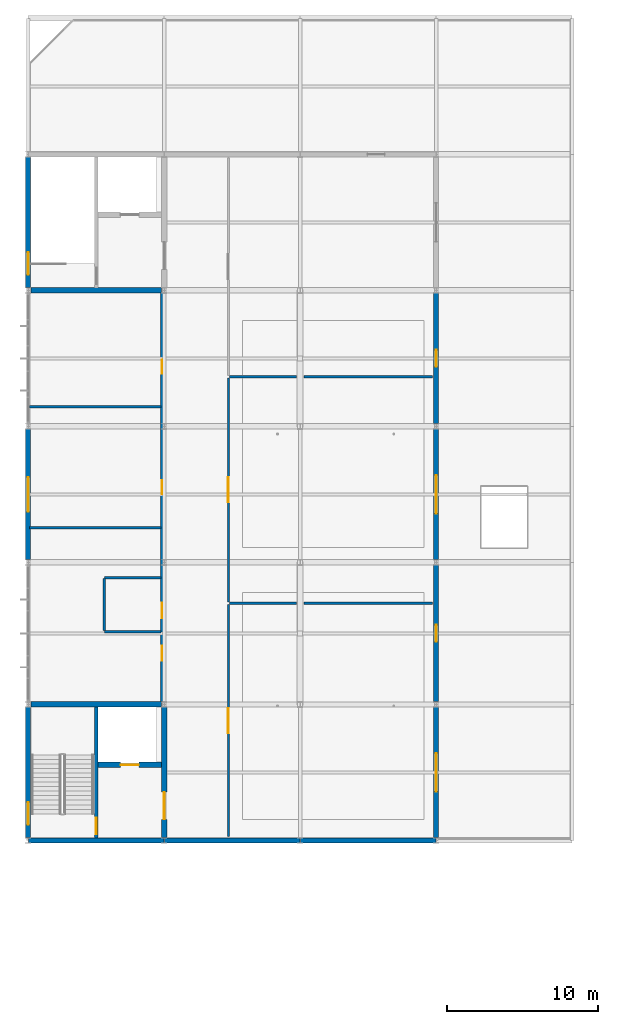
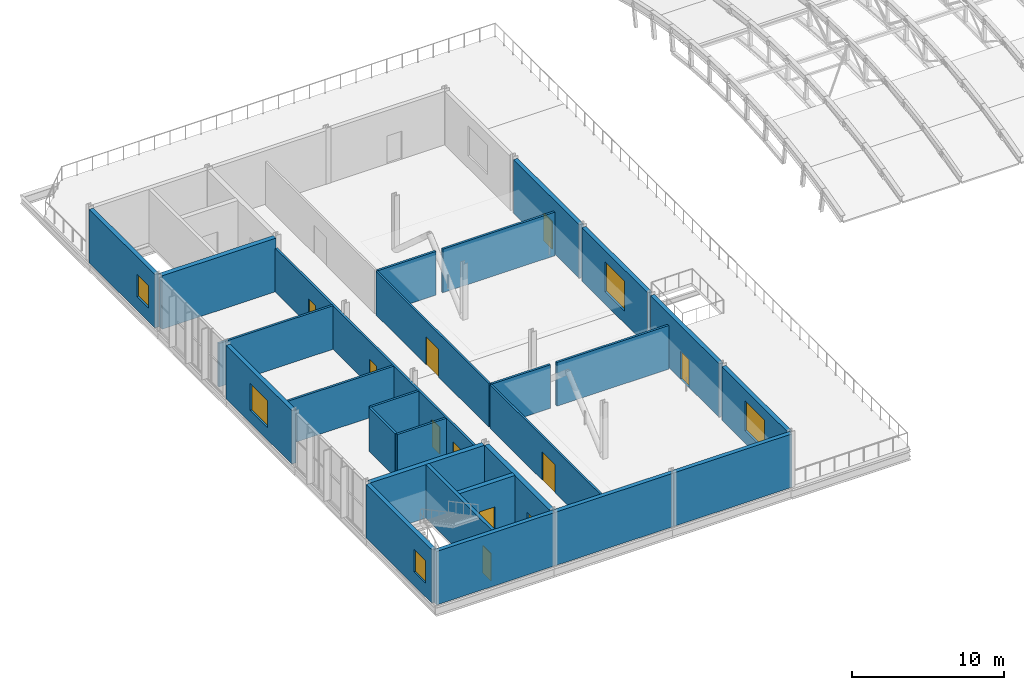
# One storey, part 42 of 53: 27 walls, 11 doors, 5 windows, 16 openings.
"""IFC4 building model written with IfcOpenShell, lengths in metres."""

from ifc_helpers import new_model, si_unit, direction, frame, frame_2d, origin, place, context, subcontext, project, spatial, rectangle, extrude, material, layer, layer_set, type_object, element, fill, save


model = new_model("IFC4")

# Units and contexts
model_context = context("Model", 3, precision=1e-05, world=origin(), true_north=direction((0.0, 1.0)))
body_context = subcontext(model_context, "Body", "Model", "MODEL_VIEW")
ifc_project = project(units=[si_unit("LENGTHUNIT", "METRE"), si_unit("AREAUNIT", "SQUARE_METRE"), si_unit("VOLUMEUNIT", "CUBIC_METRE"), si_unit("PLANEANGLEUNIT", "RADIAN"), si_unit("MASSUNIT", "GRAM", prefix="KILO")], contexts=[model_context])

# Site, building, storey
site_placement = place(None, origin())
site = spatial("IfcSite", under=ifc_project, at=site_placement, CompositionType="ELEMENT")
building_placement = place(site_placement, origin())
building = spatial("IfcBuilding", under=site, at=building_placement, Name="Cazmaro Siding Exhibition Halls", CompositionType="ELEMENT")
storey_placement = place(building_placement, frame((0.0, 0.0, 21.0)))
storey = spatial("IfcBuildingStorey", under=building, at=storey_placement, Name="L04", CompositionType="ELEMENT", Elevation=21.0)

# Wall, opening, window
ifc_material_1 = material(Name="Concrete f'c 45 MPa", Category="concrete")
ifc_layer_1 = layer(ifc_material_1, 0.320068359375)
ifc_layer_set_1 = layer_set([ifc_layer_1], Name="Concrete f'c 45 MPa")
wall_type_1 = type_object("IfcWallType", Name="EW-01", PredefinedType="STANDARD", material=ifc_layer_set_1)
wall_1_placement = place(storey_placement, frame((0.0, 54.780029296875, 0.0), z_axis=(0.0, 0.0, 1.0), x_axis=(0.0, 1.0, 0.0)))
wall_1 = element("IfcWall", 1, at=wall_1_placement, inside=storey, type_object=wall_type_1, Name="West Wing Core Street Wall L04 EW-01 WL-E0304", PredefinedType="STANDARD", context=body_context, shape_type="SweptSolid", body=[
    extrude(rectangle(XDim=8.639892578125, YDim=0.320068359375, at=frame_2d((4.31982421875, 0.0))), origin(), (0.0, 0.0, 1.0), 4.2900390625),
])
opening_1_placement = place(wall_1_placement, frame((0.85009765625, 0.0, 1.10009765625)))
opening_1 = element("IfcOpeningElement", 2, at=opening_1_placement, cuts=wall_1, Name="Opening W-100", PredefinedType="OPENING", context=body_context, shape_type="SweptSolid", body=[
    extrude(rectangle(XDim=1.5, YDim=1.800048828125, at=frame_2d((0.75, 0.89990234375))), frame((0.0, 0.169921875, 0.0), z_axis=(0.0, -1.0, 0.0), x_axis=(1.0, 0.0, 0.0)), (0.0, 0.0, 1.0), 0.340087890625),
])
ifc_material_2 = material(Name="Thermally Broken Aluminum Low-E Window Unit", Category="aluminium")
window_type_1 = type_object("IfcWindowType", Name="WT-01", PartitioningType="SINGLE_PANEL", PredefinedType="WINDOW", material=ifc_material_2)
window_1_placement = place(opening_1_placement, origin())
window_1 = element("IfcWindow", 3, at=window_1_placement, inside=storey, type_object=window_type_1, Name="Window W-100 (WT-01)", OverallHeight=1.800048828125, OverallWidth=1.5, PartitioningType="SINGLE_PANEL", PredefinedType="WINDOW", context=body_context, shape_type="SweptSolid", body=[
    extrude(rectangle(XDim=1.5, YDim=1.800048828125, at=frame_2d((0.75, 0.89990234375))), frame((0.0, 0.030029296875, 0.0), z_axis=(0.0, -1.0, 0.0), x_axis=(1.0, 0.0, 0.0)), (0.0, 0.0, 1.0), 0.06005859375),
])
fill(opening_1, window_1)

wall_2_placement = place(storey_placement, frame((27.0, 63.419921875, 0.0), z_axis=(0.0, 0.0, 1.0), x_axis=(0.0, -1.0, 0.0)))
wall_2 = element("IfcWall", 4, at=wall_2_placement, inside=storey, type_object=wall_type_1, Name="L04 Terrace Access Wall EW-01 WL-E0305", PredefinedType="STANDARD", context=body_context, shape_type="SweptSolid", body=[
    extrude(rectangle(XDim=8.639892578125, YDim=0.320068359375, at=frame_2d((4.31982421875, 0.0))), origin(), (0.0, 0.0, 1.0), 4.2900390625),
])
opening_2_placement = place(wall_2_placement, frame((3.044921875, 0.0, 1.0)))
opening_2 = element("IfcOpeningElement", 5, at=opening_2_placement, cuts=wall_2, Name="Opening W-101", PredefinedType="OPENING", context=body_context, shape_type="SweptSolid", body=[
    extrude(rectangle(XDim=2.550048828125, YDim=2.39990234375, at=frame_2d((1.27490234375, 1.199951171875))), frame((0.0, 0.169921875, 0.0), z_axis=(0.0, -1.0, 0.0), x_axis=(1.0, 0.0, 0.0)), (0.0, 0.0, 1.0), 0.340087890625),
])
ifc_material_3 = material(Name="Thermally Broken Aluminum Low-E Window Unit", Category="aluminium")
window_type_2 = type_object("IfcWindowType", Name="WT-08", PartitioningType="SINGLE_PANEL", PredefinedType="WINDOW", material=ifc_material_3)
window_2_placement = place(opening_2_placement, origin())
window_2 = element("IfcWindow", 6, at=window_2_placement, inside=storey, type_object=window_type_2, Name="Window W-101 (WT-08)", OverallHeight=2.39990234375, OverallWidth=2.550048828125, PartitioningType="SINGLE_PANEL", PredefinedType="WINDOW", context=body_context, shape_type="SweptSolid", body=[
    extrude(rectangle(XDim=2.550048828125, YDim=2.39990234375, at=frame_2d((1.27490234375, 1.199951171875))), frame((0.0, 0.030029296875, 0.0), z_axis=(0.0, -1.0, 0.0), x_axis=(1.0, 0.0, 0.0)), (0.0, 0.0, 1.0), 0.06005859375),
])
fill(opening_2, window_2)

# Wall, opening, door
wall_3_placement = place(storey_placement, frame((27.0, 72.820068359375, 0.0), z_axis=(0.0, 0.0, 1.0), x_axis=(0.0, -1.0, 0.0)))
wall_3 = element("IfcWall", 7, at=wall_3_placement, inside=storey, type_object=wall_type_1, Name="L04 Terrace Access Wall EW-01 WL-E0306", PredefinedType="STANDARD", context=body_context, shape_type="SweptSolid", body=[
    extrude(rectangle(XDim=9.0400390625, YDim=0.320068359375, at=frame_2d((4.52001953125, 0.0))), origin(), (0.0, 0.0, 1.0), 4.2900390625),
])
opening_3_placement = place(wall_3_placement, frame((3.9599609375, 0.0, 0.0)))
opening_3 = element("IfcOpeningElement", 8, at=opening_3_placement, cuts=wall_3, Name="Opening D-E074", PredefinedType="OPENING", context=body_context, shape_type="SweptSolid", body=[
    extrude(rectangle(XDim=1.1201171875, YDim=2.239990234375, at=frame_2d((0.56005859375, 1.1201171875))), frame((0.0, 0.169921875, 0.0), z_axis=(0.0, -1.0, 0.0), x_axis=(1.0, 0.0, 0.0)), (0.0, 0.0, 1.0), 0.340087890625),
])
ifc_material_4 = material(Name="Anodized Bronze Glazed Entrance Door", Category="aluminium")
door_type_1 = type_object("IfcDoorType", Name="ED-04", OperationType="NOTDEFINED", PredefinedType="DOOR", material=ifc_material_4)
door_1_placement = place(opening_3_placement, origin())
door_1 = element("IfcDoor", 9, at=door_1_placement, inside=storey, type_object=door_type_1, Name="Exterior door D-E074 (ED-04)", OperationType="SINGLE_SWING_LEFT", OverallHeight=2.239990234375, OverallWidth=1.1201171875, PredefinedType="DOOR", context=body_context, shape_type="SweptSolid", body=[
    extrude(rectangle(XDim=1.1201171875, YDim=2.239990234375, at=frame_2d((0.56005859375, 1.1201171875))), frame((0.0, 0.02490234375, 0.0), z_axis=(0.0, -1.0, 0.0), x_axis=(1.0, 0.0, 0.0)), (0.0, 0.0, 1.0), 0.050048828125),
])
fill(opening_3, door_1)

# Wall, opening, window
wall_4_placement = place(storey_placement, frame((0.0, 73.179931640625, 0.0), z_axis=(0.0, 0.0, 1.0), x_axis=(0.0, 1.0, 0.0)))
wall_4 = element("IfcWall", 10, at=wall_4_placement, inside=storey, type_object=wall_type_1, Name="West Wing Street Pier Wall L04 EW-01 WL-E0307", PredefinedType="STANDARD", context=body_context, shape_type="SweptSolid", body=[
    extrude(rectangle(XDim=8.64013671875, YDim=0.320068359375, at=frame_2d((4.320068359375, 0.0))), origin(), (0.0, 0.0, 1.0), 4.2900390625),
])
opening_4_placement = place(wall_4_placement, frame((3.169921875, 0.0, 1.0)))
opening_4 = element("IfcOpeningElement", 11, at=opening_4_placement, cuts=wall_4, Name="Opening W-102", PredefinedType="OPENING", context=body_context, shape_type="SweptSolid", body=[
    extrude(rectangle(XDim=2.300048828125, YDim=2.14990234375, at=frame_2d((1.14990234375, 1.074951171875))), frame((0.0, 0.169921875, 0.0), z_axis=(0.0, -1.0, 0.0), x_axis=(1.0, 0.0, 0.0)), (0.0, 0.0, 1.0), 0.340087890625),
])
ifc_material_5 = material(Name="Thermally Broken Aluminum Low-E Window Unit", Category="aluminium")
window_type_3 = type_object("IfcWindowType", Name="WT-15", PartitioningType="SINGLE_PANEL", PredefinedType="WINDOW", material=ifc_material_5)
window_3_placement = place(opening_4_placement, origin())
window_3 = element("IfcWindow", 12, at=window_3_placement, inside=storey, type_object=window_type_3, Name="Window W-102 (WT-15)", OverallHeight=2.14990234375, OverallWidth=2.300048828125, PartitioningType="SINGLE_PANEL", PredefinedType="WINDOW", context=body_context, shape_type="SweptSolid", body=[
    extrude(rectangle(XDim=2.300048828125, YDim=2.14990234375, at=frame_2d((1.14990234375, 1.074951171875))), frame((0.0, 0.030029296875, 0.0), z_axis=(0.0, -1.0, 0.0), x_axis=(1.0, 0.0, 0.0)), (0.0, 0.0, 1.0), 0.06005859375),
])
fill(opening_4, window_3)

wall_5_placement = place(storey_placement, frame((27.0, 81.820068359375, 0.0), z_axis=(0.0, 0.0, 1.0), x_axis=(0.0, -1.0, 0.0)))
wall_5 = element("IfcWall", 13, at=wall_5_placement, inside=storey, type_object=wall_type_1, Name="L04 Terrace Access Wall EW-01 WL-E0308", PredefinedType="STANDARD", context=body_context, shape_type="SweptSolid", body=[
    extrude(rectangle(XDim=8.64013671875, YDim=0.320068359375, at=frame_2d((4.320068359375, 0.0))), origin(), (0.0, 0.0, 1.0), 4.2900390625),
])
opening_5_placement = place(wall_5_placement, frame((3.044921875, 0.0, 1.0)))
opening_5 = element("IfcOpeningElement", 14, at=opening_5_placement, cuts=wall_5, Name="Opening W-103", PredefinedType="OPENING", context=body_context, shape_type="SweptSolid", body=[
    extrude(rectangle(XDim=2.550048828125, YDim=2.39990234375, at=frame_2d((1.27490234375, 1.199951171875))), frame((0.0, 0.169921875, 0.0), z_axis=(0.0, -1.0, 0.0), x_axis=(1.0, 0.0, 0.0)), (0.0, 0.0, 1.0), 0.340087890625),
])
window_4_placement = place(opening_5_placement, origin())
window_4 = element("IfcWindow", 15, at=window_4_placement, inside=storey, type_object=window_type_2, Name="Window W-103 (WT-08)", OverallHeight=2.39990234375, OverallWidth=2.550048828125, PartitioningType="SINGLE_PANEL", PredefinedType="WINDOW", context=body_context, shape_type="SweptSolid", body=[
    extrude(rectangle(XDim=2.550048828125, YDim=2.39990234375, at=frame_2d((1.27490234375, 1.199951171875))), frame((0.0, 0.030029296875, 0.0), z_axis=(0.0, -1.0, 0.0), x_axis=(1.0, 0.0, 0.0)), (0.0, 0.0, 1.0), 0.06005859375),
])
fill(opening_5, window_4)

# Wall, opening, door
wall_6_placement = place(storey_placement, frame((27.0, 90.820068359375, 0.0), z_axis=(0.0, 0.0, 1.0), x_axis=(0.0, -1.0, 0.0)))
wall_6 = element("IfcWall", 16, at=wall_6_placement, inside=storey, type_object=wall_type_1, Name="L04 Terrace Access Wall EW-01 WL-E0309", PredefinedType="STANDARD", context=body_context, shape_type="SweptSolid", body=[
    extrude(rectangle(XDim=8.64013671875, YDim=0.320068359375, at=frame_2d((4.320068359375, 0.0))), origin(), (0.0, 0.0, 1.0), 4.2900390625),
])
opening_6_placement = place(wall_6_placement, frame((3.760009765625, 0.0, 0.0)))
opening_6 = element("IfcOpeningElement", 17, at=opening_6_placement, cuts=wall_6, Name="Opening D-E075", PredefinedType="OPENING", context=body_context, shape_type="SweptSolid", body=[
    extrude(rectangle(XDim=1.1201171875, YDim=2.239990234375, at=frame_2d((0.56005859375, 1.1201171875))), frame((0.0, 0.169921875, 0.0), z_axis=(0.0, -1.0, 0.0), x_axis=(1.0, 0.0, 0.0)), (0.0, 0.0, 1.0), 0.340087890625),
])
door_2_placement = place(opening_6_placement, origin())
door_2 = element("IfcDoor", 18, at=door_2_placement, inside=storey, type_object=door_type_1, Name="Exterior door D-E075 (ED-04)", OperationType="SINGLE_SWING_LEFT", OverallHeight=2.239990234375, OverallWidth=1.1201171875, PredefinedType="DOOR", context=body_context, shape_type="SweptSolid", body=[
    extrude(rectangle(XDim=1.1201171875, YDim=2.239990234375, at=frame_2d((0.56005859375, 1.1201171875))), frame((0.0, 0.02490234375, 0.0), z_axis=(0.0, -1.0, 0.0), x_axis=(1.0, 0.0, 0.0)), (0.0, 0.0, 1.0), 0.050048828125),
])
fill(opening_6, door_2)

# Wall, opening, window
wall_7_placement = place(storey_placement, frame((0.0, 91.179931640625, 0.0), z_axis=(0.0, 0.0, 1.0), x_axis=(0.0, 1.0, 0.0)))
wall_7 = element("IfcWall", 19, at=wall_7_placement, inside=storey, type_object=wall_type_1, Name="West Wing Core Street Wall L04 EW-01 WL-E0310", PredefinedType="STANDARD", context=body_context, shape_type="SweptSolid", body=[
    extrude(rectangle(XDim=8.64013671875, YDim=0.320068359375, at=frame_2d((4.320068359375, 0.0))), origin(), (0.0, 0.0, 1.0), 4.2900390625),
])
opening_7_placement = place(wall_7_placement, frame((0.85009765625, 0.0, 1.10009765625)))
opening_7 = element("IfcOpeningElement", 20, at=opening_7_placement, cuts=wall_7, Name="Opening W-104", PredefinedType="OPENING", context=body_context, shape_type="SweptSolid", body=[
    extrude(rectangle(XDim=1.5, YDim=1.800048828125, at=frame_2d((0.75, 0.89990234375))), frame((0.0, 0.169921875, 0.0), z_axis=(0.0, -1.0, 0.0), x_axis=(1.0, 0.0, 0.0)), (0.0, 0.0, 1.0), 0.340087890625),
])
window_5_placement = place(opening_7_placement, origin())
window_5 = element("IfcWindow", 21, at=window_5_placement, inside=storey, type_object=window_type_1, Name="Window W-104 (WT-01)", OverallHeight=1.800048828125, OverallWidth=1.5, PartitioningType="SINGLE_PANEL", PredefinedType="WINDOW", context=body_context, shape_type="SweptSolid", body=[
    extrude(rectangle(XDim=1.5, YDim=1.800048828125, at=frame_2d((0.75, 0.89990234375))), frame((0.0, 0.030029296875, 0.0), z_axis=(0.0, -1.0, 0.0), x_axis=(1.0, 0.0, 0.0)), (0.0, 0.0, 1.0), 0.06005859375),
])
fill(opening_7, window_5)

# Walls
for number, where, z_axis, x_axis, name in (
    (22, (8.985107421875, 54.60009765625, 0.0), (0.0, 0.0, 1.0), (-1.0, 0.0, 0.0), "West Wing South Seismic Wall L04 EW-01 WL-E0312"),
    (23, (17.985107421875, 54.60009765625, 0.0), (0.0, 0.0, 1.0), (-1.0, 0.0, 0.0), "West Wing South Seismic Wall L04 EW-01 WL-E0313"),
    (24, (26.985107421875, 54.60009765625, 0.0), (0.0, 0.0, 1.0), (-1.0, 0.0, 0.0), "West Wing South Seismic Wall L04 EW-01 WL-E0314"),
):
    element("IfcWall", number, at=place(storey_placement, frame(where, z_axis=z_axis, x_axis=x_axis)), inside=storey, type_object=wall_type_1, Name=name, PredefinedType="STANDARD", context=body_context, shape_type="SweptSolid", body=[
        extrude(rectangle(XDim=8.97021484375, YDim=0.320068359375, at=frame_2d((4.485107421875, 0.0))), origin(), (0.0, 0.0, 1.0), 4.2900390625),
    ])

# Wall, opening, door
ifc_material_6 = material(Name="Fire-Rated Gypsum Board on Cold-Formed Steel Studs", Category="steel")
ifc_layer_2 = layer(ifc_material_6, 0.14501953125)
ifc_layer_set_2 = layer_set([ifc_layer_2], Name="Fire-Rated Gypsum Board on Cold-Formed Steel Studs")
wall_type_2 = type_object("IfcWallType", Name="PW-01", PredefinedType="PARTITIONING", material=ifc_layer_set_2)
wall_8_placement = place(storey_placement, frame((13.25, 54.85009765625, 0.0), z_axis=(0.0, 0.0, 1.0), x_axis=(0.0, 1.0, 0.0)))
wall_8 = element("IfcWall", 25, at=wall_8_placement, inside=storey, type_object=wall_type_2, Name="West Wing East Corridor Wall L04 PW-01 WL-I0272", PredefinedType="PARTITIONING", context=body_context, shape_type="SweptSolid", body=[
    extrude(rectangle(XDim=15.369873046875, YDim=0.14501953125, at=frame_2d((7.68505859375, 0.0))), origin(), (0.0, 0.0, 1.0), 3.5),
])
opening_8_placement = place(wall_8_placement, frame((6.860107421875, 0.0, 0.0)))
opening_8 = element("IfcOpeningElement", 26, at=opening_8_placement, cuts=wall_8, Name="Opening D-I128", PredefinedType="OPENING", context=body_context, shape_type="SweptSolid", body=[
    extrude(rectangle(XDim=1.64990234375, YDim=2.25, at=frame_2d((0.824951171875, 1.125))), frame((0.0, 0.08251953125, 0.0), z_axis=(0.0, -1.0, 0.0), x_axis=(1.0, 0.0, 0.0)), (0.0, 0.0, 1.0), 0.1650390625),
])
ifc_material_7 = material(Name="Fire-Rated Painted Hollow Metal Door", Category="steel")
door_type_2 = type_object("IfcDoorType", Name="ID-05", OperationType="DOUBLE_DOOR_SINGLE_SWING", PredefinedType="DOOR", material=ifc_material_7)
door_3_placement = place(opening_8_placement, origin())
door_3 = element("IfcDoor", 27, at=door_3_placement, inside=storey, type_object=door_type_2, Name="Interior door D-I128 (ID-05)", OperationType="DOUBLE_DOOR_SINGLE_SWING", OverallHeight=2.25, OverallWidth=1.64990234375, PredefinedType="DOOR", context=body_context, shape_type="SweptSolid", body=[
    extrude(rectangle(XDim=1.64990234375, YDim=2.25, at=frame_2d((0.824951171875, 1.125))), frame((0.0, 0.02490234375, 0.0), z_axis=(0.0, -1.0, 0.0), x_axis=(1.0, 0.0, 0.0)), (0.0, 0.0, 1.0), 0.050048828125),
])
fill(opening_8, door_3)

wall_9_placement = place(storey_placement, frame((13.25, 70.3798828125, 0.0), z_axis=(0.0, 0.0, 1.0), x_axis=(0.0, 1.0, 0.0)))
wall_9 = element("IfcWall", 28, at=wall_9_placement, inside=storey, type_object=wall_type_2, Name="West Wing East Corridor Wall L04 PW-01 WL-I0273", PredefinedType="PARTITIONING", context=body_context, shape_type="SweptSolid", body=[
    extrude(rectangle(XDim=14.840087890625, YDim=0.14501953125, at=frame_2d((7.419921875, 0.0))), origin(), (0.0, 0.0, 1.0), 3.5),
])
opening_9_placement = place(wall_9_placement, frame((6.594970703125, 0.0, 0.0)))
opening_9 = element("IfcOpeningElement", 29, at=opening_9_placement, cuts=wall_9, Name="Opening D-I129", PredefinedType="OPENING", context=body_context, shape_type="SweptSolid", body=[
    extrude(rectangle(XDim=1.64990234375, YDim=2.25, at=frame_2d((0.824951171875, 1.125))), frame((0.0, 0.08251953125, 0.0), z_axis=(0.0, -1.0, 0.0), x_axis=(1.0, 0.0, 0.0)), (0.0, 0.0, 1.0), 0.1650390625),
])
door_4_placement = place(opening_9_placement, origin())
door_4 = element("IfcDoor", 30, at=door_4_placement, inside=storey, type_object=door_type_2, Name="Interior door D-I129 (ID-05)", OperationType="DOUBLE_DOOR_SINGLE_SWING", OverallHeight=2.25, OverallWidth=1.64990234375, PredefinedType="DOOR", context=body_context, shape_type="SweptSolid", body=[
    extrude(rectangle(XDim=1.64990234375, YDim=2.25, at=frame_2d((0.824951171875, 1.125))), frame((0.0, 0.02490234375, 0.0), z_axis=(0.0, -1.0, 0.0), x_axis=(1.0, 0.0, 0.0)), (0.0, 0.0, 1.0), 0.050048828125),
])
fill(opening_9, door_4)

# Walls
ifc_material_8 = material(Name="Moisture-Resistant Gypsum Board on Acoustic Steel Studs", Category="steel")
ifc_layer_3 = layer(ifc_material_8, 0.1650390625)
ifc_layer_set_3 = layer_set([ifc_layer_3], Name="Moisture-Resistant Gypsum Board on Acoustic Steel Studs")
wall_type_3 = type_object("IfcWallType", Name="PW-02", PredefinedType="PARTITIONING", material=ifc_layer_set_3)
wall_10_placement = place(storey_placement, frame((13.320068359375, 70.300048828125, 0.0), z_axis=(0.0, 0.0, 1.0), x_axis=(1.0, 0.0, 0.0)))
element("IfcWall", 31, at=wall_10_placement, inside=storey, type_object=wall_type_3, Name="West Wing East Room Divider L04 PW-02 WL-I0275", PredefinedType="PARTITIONING", context=body_context, shape_type="SweptSolid", body=[
    extrude(rectangle(XDim=4.429931640625, YDim=0.1650390625, at=frame_2d((2.21484375, 0.0))), origin(), (0.0, 0.0, 1.0), 3.5),
])
wall_11_placement = place(storey_placement, frame((18.25, 70.300048828125, 0.0), z_axis=(0.0, 0.0, 1.0), x_axis=(1.0, 0.0, 0.0)))
element("IfcWall", 32, at=wall_11_placement, inside=storey, type_object=wall_type_3, Name="West Wing East Room Divider L04 PW-02 WL-I0276", PredefinedType="PARTITIONING", context=body_context, shape_type="SweptSolid", body=[
    extrude(rectangle(XDim=8.5, YDim=0.1650390625, at=frame_2d((4.25, 0.0))), origin(), (0.0, 0.0, 1.0), 3.5),
])
wall_12_placement = place(storey_placement, frame((13.320068359375, 85.300048828125, 0.0), z_axis=(0.0, 0.0, 1.0), x_axis=(1.0, 0.0, 0.0)))
element("IfcWall", 33, at=wall_12_placement, inside=storey, type_object=wall_type_3, Name="West Wing East Room Divider L04 PW-02 WL-I0277", PredefinedType="PARTITIONING", context=body_context, shape_type="SweptSolid", body=[
    extrude(rectangle(XDim=4.429931640625, YDim=0.1650390625, at=frame_2d((2.21484375, 0.0))), origin(), (0.0, 0.0, 1.0), 3.5),
])
wall_13_placement = place(storey_placement, frame((18.25, 85.300048828125, 0.0), z_axis=(0.0, 0.0, 1.0), x_axis=(1.0, 0.0, 0.0)))
element("IfcWall", 34, at=wall_13_placement, inside=storey, type_object=wall_type_3, Name="West Wing East Room Divider L04 PW-02 WL-I0278", PredefinedType="PARTITIONING", context=body_context, shape_type="SweptSolid", body=[
    extrude(rectangle(XDim=8.5, YDim=0.1650390625, at=frame_2d((4.25, 0.0))), origin(), (0.0, 0.0, 1.0), 3.5),
])

# Wall, openings, doors
wall_14_placement = place(storey_placement, frame((8.85009765625, 63.780029296875, 0.0), z_axis=(0.0, 0.0, 1.0), x_axis=(0.0, 1.0, 0.0)))
wall_14 = element("IfcWall", 35, at=wall_14_placement, inside=storey, type_object=wall_type_3, Name="West Wing West Service Wall L04 PW-02 WL-I0279", PredefinedType="PARTITIONING", context=body_context, shape_type="SweptSolid", body=[
    extrude(rectangle(XDim=27.0400390625, YDim=0.1650390625, at=frame_2d((13.52001953125, 0.0))), origin(), (0.0, 0.0, 1.0), 3.5),
])
opening_10_placement = place(wall_14_placement, frame((2.719970703125, 0.0, 0.0)))
opening_10 = element("IfcOpeningElement", 36, at=opening_10_placement, cuts=wall_14, Name="Opening D-I131", PredefinedType="OPENING", context=body_context, shape_type="SweptSolid", body=[
    extrude(rectangle(XDim=0.97998046875, YDim=2.14990234375, at=frame_2d((0.489990234375, 1.074951171875))), frame((0.0, 0.092529296875, 0.0), z_axis=(0.0, -1.0, 0.0), x_axis=(1.0, 0.0, 0.0)), (0.0, 0.0, 1.0), 0.18505859375),
])
opening_11_placement = place(wall_14_placement, frame((5.52001953125, 0.0, 0.0)))
opening_11 = element("IfcOpeningElement", 37, at=opening_11_placement, cuts=wall_14, Name="Opening D-I132", PredefinedType="OPENING", context=body_context, shape_type="SweptSolid", body=[
    extrude(rectangle(XDim=1.02001953125, YDim=2.159912109375, at=frame_2d((0.510009765625, 1.080078125))), frame((0.0, 0.092529296875, 0.0), z_axis=(0.0, -1.0, 0.0), x_axis=(1.0, 0.0, 0.0)), (0.0, 0.0, 1.0), 0.18505859375),
])
opening_12_placement = place(wall_14_placement, frame((13.719970703125, 0.0, 0.0)))
opening_12 = element("IfcOpeningElement", 38, at=opening_12_placement, cuts=wall_14, Name="Opening D-I133", PredefinedType="OPENING", context=body_context, shape_type="SweptSolid", body=[
    extrude(rectangle(XDim=0.949951171875, YDim=2.1201171875, at=frame_2d((0.47509765625, 1.06005859375))), frame((0.0, 0.092529296875, 0.0), z_axis=(0.0, -1.0, 0.0), x_axis=(1.0, 0.0, 0.0)), (0.0, 0.0, 1.0), 0.18505859375),
])
opening_13_placement = place(wall_14_placement, frame((21.719970703125, 0.0, 0.0)))
opening_13 = element("IfcOpeningElement", 39, at=opening_13_placement, cuts=wall_14, Name="Opening D-I134", PredefinedType="OPENING", context=body_context, shape_type="SweptSolid", body=[
    extrude(rectangle(XDim=0.919921875, YDim=2.10009765625, at=frame_2d((0.4599609375, 1.050048828125))), frame((0.0, 0.092529296875, 0.0), z_axis=(0.0, -1.0, 0.0), x_axis=(1.0, 0.0, 0.0)), (0.0, 0.0, 1.0), 0.18505859375),
])
ifc_material_9 = material(Name="Fire-Rated Painted Hollow Metal Door", Category="steel")
door_type_3 = type_object("IfcDoorType", Name="ID-03", OperationType="NOTDEFINED", PredefinedType="DOOR", material=ifc_material_9)
door_5_placement = place(opening_10_placement, origin())
door_5 = element("IfcDoor", 40, at=door_5_placement, inside=storey, type_object=door_type_3, Name="Interior door D-I131 (ID-03)", OperationType="SINGLE_SWING_RIGHT", OverallHeight=2.14990234375, OverallWidth=0.97998046875, PredefinedType="DOOR", context=body_context, shape_type="SweptSolid", body=[
    extrude(rectangle(XDim=0.97998046875, YDim=2.14990234375, at=frame_2d((0.489990234375, 1.074951171875))), frame((0.0, 0.02490234375, 0.0), z_axis=(0.0, -1.0, 0.0), x_axis=(1.0, 0.0, 0.0)), (0.0, 0.0, 1.0), 0.050048828125),
])
fill(opening_10, door_5)
ifc_material_10 = material(Name="Fire-Rated Painted Hollow Metal Door", Category="steel")
door_type_4 = type_object("IfcDoorType", Name="ID-04", OperationType="NOTDEFINED", PredefinedType="DOOR", material=ifc_material_10)
door_6_placement = place(opening_12_placement, origin())
door_6 = element("IfcDoor", 41, at=door_6_placement, inside=storey, type_object=door_type_4, Name="Interior door D-I133 (ID-04)", OperationType="SINGLE_SWING_RIGHT", OverallHeight=2.1201171875, OverallWidth=0.949951171875, PredefinedType="DOOR", context=body_context, shape_type="SweptSolid", body=[
    extrude(rectangle(XDim=0.949951171875, YDim=2.1201171875, at=frame_2d((0.47509765625, 1.06005859375))), frame((0.0, 0.02490234375, 0.0), z_axis=(0.0, -1.0, 0.0), x_axis=(1.0, 0.0, 0.0)), (0.0, 0.0, 1.0), 0.050048828125),
])
fill(opening_12, door_6)
ifc_material_11 = material(Name="Fire-Rated Painted Hollow Metal Door", Category="steel")
door_type_5 = type_object("IfcDoorType", Name="ID-07", OperationType="NOTDEFINED", PredefinedType="DOOR", material=ifc_material_11)
door_7_placement = place(opening_11_placement, origin())
door_7 = element("IfcDoor", 42, at=door_7_placement, inside=storey, type_object=door_type_5, Name="Interior door D-I132 (ID-07)", OperationType="SINGLE_SWING_LEFT", OverallHeight=2.159912109375, OverallWidth=1.02001953125, PredefinedType="DOOR", context=body_context, shape_type="SweptSolid", body=[
    extrude(rectangle(XDim=1.02001953125, YDim=2.159912109375, at=frame_2d((0.510009765625, 1.080078125))), frame((0.0, 0.02490234375, 0.0), z_axis=(0.0, -1.0, 0.0), x_axis=(1.0, 0.0, 0.0)), (0.0, 0.0, 1.0), 0.050048828125),
])
fill(opening_11, door_7)
ifc_material_12 = material(Name="Fire-Rated Painted Hollow Metal Door", Category="steel")
door_type_6 = type_object("IfcDoorType", Name="ID-08", OperationType="NOTDEFINED", PredefinedType="DOOR", material=ifc_material_12)
door_8_placement = place(opening_13_placement, origin())
door_8 = element("IfcDoor", 43, at=door_8_placement, inside=storey, type_object=door_type_6, Name="Interior door D-I134 (ID-08)", OperationType="SINGLE_SWING_LEFT", OverallHeight=2.10009765625, OverallWidth=0.919921875, PredefinedType="DOOR", context=body_context, shape_type="SweptSolid", body=[
    extrude(rectangle(XDim=0.919921875, YDim=2.10009765625, at=frame_2d((0.4599609375, 1.050048828125))), frame((0.0, 0.02490234375, 0.0), z_axis=(0.0, -1.0, 0.0), x_axis=(1.0, 0.0, 0.0)), (0.0, 0.0, 1.0), 0.050048828125),
])
fill(opening_13, door_8)

# Walls
for number, where, z_axis, x_axis, name in (
    (44, (5.050048828125, 68.39990234375, 0.0), (0.0, 0.0, 1.0), (1.0, 0.0, 0.0), "Accessible WC South Partition L04 PW-02 WL-I0280"),
    (45, (5.050048828125, 72.0, 0.0), (0.0, 0.0, 1.0), (1.0, 0.0, 0.0), "Accessible WC North Partition L04 PW-02 WL-I0281"),
):
    element("IfcWall", number, at=place(storey_placement, frame(where, z_axis=z_axis, x_axis=x_axis)), inside=storey, type_object=wall_type_3, Name=name, PredefinedType="PARTITIONING", context=body_context, shape_type="SweptSolid", body=[
        extrude(rectangle(XDim=3.72998046875, YDim=0.1650390625, at=frame_2d((1.864990234375, 0.0))), origin(), (0.0, 0.0, 1.0), 3.5),
    ])
wall_15_placement = place(storey_placement, frame((5.050048828125, 68.47998046875, 0.0), z_axis=(0.0, 0.0, 1.0), x_axis=(0.0, 1.0, 0.0)))
element("IfcWall", 46, at=wall_15_placement, inside=storey, type_object=wall_type_3, Name="Accessible WC West Partition L04 PW-02 WL-I0282", PredefinedType="PARTITIONING", context=body_context, shape_type="SweptSolid", body=[
    extrude(rectangle(XDim=3.43994140625, YDim=0.1650390625, at=frame_2d((1.719970703125, 0.0))), origin(), (0.0, 0.0, 1.0), 3.5),
])
for number, where, z_axis, x_axis, name in (
    (47, (0.10009765625, 75.300048828125, 0.0), (0.0, 0.0, 1.0), (1.0, 0.0, 0.0), "West Wing Restroom Divider L04 PW-02 WL-I0283"),
    (48, (0.10009765625, 83.300048828125, 0.0), (0.0, 0.0, 1.0), (1.0, 0.0, 0.0), "West Wing Restroom Divider L04 PW-02 WL-I0284"),
):
    element("IfcWall", number, at=place(storey_placement, frame(where, z_axis=z_axis, x_axis=x_axis)), inside=storey, type_object=wall_type_3, Name=name, PredefinedType="PARTITIONING", context=body_context, shape_type="SweptSolid", body=[
        extrude(rectangle(XDim=8.679931640625, YDim=0.1650390625, at=frame_2d((4.33984375, 0.0))), origin(), (0.0, 0.0, 1.0), 3.5),
    ])

# Wall, opening, door
ifc_material_13 = material(Name="Concrete f'c 50 MPa", Category="concrete")
ifc_layer_4 = layer(ifc_material_13, 0.360107421875)
ifc_layer_set_4 = layer_set([ifc_layer_4], Name="Concrete f'c 50 MPa")
wall_type_4 = type_object("IfcWallType", Name="SW-01", PredefinedType="SHEAR", material=ifc_layer_set_4)
wall_16_placement = place(storey_placement, frame((9.0, 54.781005859375, 0.0), z_axis=(0.0, 0.0, 1.0), x_axis=(0.0, 1.0, 0.0)))
wall_16 = element("IfcWall", 49, at=wall_16_placement, inside=storey, type_object=wall_type_4, Name="Core C7 East Shear Wall SW-01 WL-I0092", PredefinedType="SHEAR", context=body_context, shape_type="SweptSolid", body=[
    extrude(rectangle(XDim=8.637939453125, YDim=0.360107421875, at=frame_2d((4.31884765625, 0.0))), origin(), (0.0, 0.0, 1.0), 4.2900390625),
])
opening_14_placement = place(wall_16_placement, frame((1.218994140625, 0.0, 0.0)))
opening_14 = element("IfcOpeningElement", 50, at=opening_14_placement, cuts=wall_16, Name="Opening D-I046", PredefinedType="OPENING", context=body_context, shape_type="SweptSolid", body=[
    extrude(rectangle(XDim=1.800048828125, YDim=2.300048828125, at=frame_2d((0.89990234375, 1.14990234375))), frame((0.0, 0.18994140625, 0.0), z_axis=(0.0, -1.0, 0.0), x_axis=(1.0, 0.0, 0.0)), (0.0, 0.0, 1.0), 0.380126953125),
])
ifc_material_14 = material(Name="Fire-Rated Painted Hollow Metal Door", Category="steel")
door_type_7 = type_object("IfcDoorType", Name="ID-02", OperationType="DOUBLE_DOOR_SINGLE_SWING", PredefinedType="DOOR", material=ifc_material_14)
door_9_placement = place(opening_14_placement, origin())
door_9 = element("IfcDoor", 51, at=door_9_placement, inside=storey, type_object=door_type_7, Name="Interior door D-I046 (ID-02)", OperationType="DOUBLE_DOOR_SINGLE_SWING", OverallHeight=2.300048828125, OverallWidth=1.800048828125, PredefinedType="DOOR", context=body_context, shape_type="SweptSolid", body=[
    extrude(rectangle(XDim=1.800048828125, YDim=2.300048828125, at=frame_2d((0.89990234375, 1.14990234375))), frame((0.0, 0.02490234375, 0.0), z_axis=(0.0, -1.0, 0.0), x_axis=(1.0, 0.0, 0.0)), (0.0, 0.0, 1.0), 0.050048828125),
])
fill(opening_14, door_9)

# Wall
wall_17_placement = place(storey_placement, frame((0.180908203125, 63.60009765625, 0.0), z_axis=(0.0, 0.0, 1.0), x_axis=(1.0, 0.0, 0.0)))
element("IfcWall", 52, at=wall_17_placement, inside=storey, type_object=wall_type_4, Name="Core C7 North Shear Wall SW-01 WL-I0093", PredefinedType="SHEAR", context=body_context, shape_type="SweptSolid", body=[
    extrude(rectangle(XDim=8.63818359375, YDim=0.360107421875, at=frame_2d((4.319091796875, 0.0))), origin(), (0.0, 0.0, 1.0), 4.2900390625),
])

# Wall, opening, door
wall_18_placement = place(storey_placement, frame((4.614990234375, 59.60009765625, 0.0), z_axis=(0.0, 0.0, 1.0), x_axis=(1.0, 0.0, 0.0)))
wall_18 = element("IfcWall", 53, at=wall_18_placement, inside=storey, type_object=wall_type_4, Name="Core C7 Lift Shaft Wall SW-01 WL-I0095", PredefinedType="SHEAR", context=body_context, shape_type="SweptSolid", body=[
    extrude(rectangle(XDim=4.219970703125, YDim=0.360107421875, at=frame_2d((2.10986328125, 0.0))), origin(), (0.0, 0.0, 1.0), 4.2900390625),
])
opening_15_placement = place(wall_18_placement, frame((1.510009765625, 0.0, 0.0)))
opening_15 = element("IfcOpeningElement", 54, at=opening_15_placement, cuts=wall_18, Name="Opening LD-023", PredefinedType="OPENING", context=body_context, shape_type="SweptSolid", body=[
    extrude(rectangle(XDim=1.199951171875, YDim=2.300048828125, at=frame_2d((0.60009765625, 1.14990234375))), frame((0.0, 0.18994140625, 0.0), z_axis=(0.0, -1.0, 0.0), x_axis=(1.0, 0.0, 0.0)), (0.0, 0.0, 1.0), 0.380126953125),
])
ifc_material_15 = material(Name="Stainless Steel Elevator Landing Door", Category="steel")
door_type_8 = type_object("IfcDoorType", Name="LD-01", OperationType="SLIDING_TO_LEFT", PredefinedType="DOOR", material=ifc_material_15)
door_10_placement = place(opening_15_placement, origin())
door_10 = element("IfcDoor", 55, at=door_10_placement, inside=storey, type_object=door_type_8, Name="Interior door LD-023 (LD-01)", OperationType="SLIDING_TO_LEFT", OverallHeight=2.300048828125, OverallWidth=1.199951171875, PredefinedType="DOOR", context=body_context, shape_type="SweptSolid", body=[
    extrude(rectangle(XDim=1.199951171875, YDim=2.300048828125, at=frame_2d((0.60009765625, 1.14990234375))), frame((0.0, 0.02490234375, 0.0), z_axis=(0.0, -1.0, 0.0), x_axis=(1.0, 0.0, 0.0)), (0.0, 0.0, 1.0), 0.050048828125),
])
fill(opening_15, door_10)

# Wall
wall_19_placement = place(storey_placement, frame((0.180908203125, 91.0, 0.0), z_axis=(0.0, 0.0, 1.0), x_axis=(1.0, 0.0, 0.0)))
element("IfcWall", 56, at=wall_19_placement, inside=storey, type_object=wall_type_4, Name="Core C8 South Shear Wall SW-01 WL-I0120", PredefinedType="SHEAR", context=body_context, shape_type="SweptSolid", body=[
    extrude(rectangle(XDim=8.63818359375, YDim=0.360107421875, at=frame_2d((4.319091796875, 0.0))), origin(), (0.0, 0.0, 1.0), 4.2900390625),
])

# Wall, opening, door
ifc_material_16 = material(Name="Concrete f'c 50 MPa", Category="concrete")
ifc_layer_5 = layer(ifc_material_16, 0.25)
ifc_layer_set_5 = layer_set([ifc_layer_5], Name="Concrete f'c 50 MPa")
wall_type_5 = type_object("IfcWallType", Name="SW-02", PredefinedType="SHEAR", material=ifc_layer_set_5)
wall_20_placement = place(storey_placement, frame((4.5, 54.764892578125, 0.0), z_axis=(0.0, 0.0, 1.0), x_axis=(0.0, 1.0, 0.0)))
wall_20 = element("IfcWall", 57, at=wall_20_placement, inside=storey, type_object=wall_type_5, Name="Core C7 Stair-Lobby Divider SW-02 WL-I0094", PredefinedType="SHEAR", context=body_context, shape_type="SweptSolid", body=[
    extrude(rectangle(XDim=8.670166015625, YDim=0.25, at=frame_2d((4.3349609375, 0.0))), origin(), (0.0, 0.0, 1.0), 4.2900390625),
])
opening_16_placement = place(wall_20_placement, frame((0.25, 0.0, 0.0)))
opening_16 = element("IfcOpeningElement", 58, at=opening_16_placement, cuts=wall_20, Name="Opening D-I045", PredefinedType="OPENING", context=body_context, shape_type="SweptSolid", body=[
    extrude(rectangle(XDim=1.10009765625, YDim=2.199951171875, at=frame_2d((0.550048828125, 1.10009765625))), frame((0.0, 0.135009765625, 0.0), z_axis=(0.0, -1.0, 0.0), x_axis=(1.0, 0.0, 0.0)), (0.0, 0.0, 1.0), 0.27001953125),
])
ifc_material_17 = material(Name="Fire-Rated Painted Hollow Metal Door", Category="steel")
door_type_9 = type_object("IfcDoorType", Name="ID-01", OperationType="NOTDEFINED", PredefinedType="DOOR", material=ifc_material_17)
door_11_placement = place(opening_16_placement, origin())
door_11 = element("IfcDoor", 59, at=door_11_placement, inside=storey, type_object=door_type_9, Name="Interior door D-I045 (ID-01)", OperationType="SINGLE_SWING_RIGHT", OverallHeight=2.199951171875, OverallWidth=1.10009765625, PredefinedType="DOOR", context=body_context, shape_type="SweptSolid", body=[
    extrude(rectangle(XDim=1.10009765625, YDim=2.199951171875, at=frame_2d((0.550048828125, 1.10009765625))), frame((0.0, 0.02490234375, 0.0), z_axis=(0.0, -1.0, 0.0), x_axis=(1.0, 0.0, 0.0)), (0.0, 0.0, 1.0), 0.050048828125),
])
fill(opening_16, door_11)

save(model, "model.ifc")
